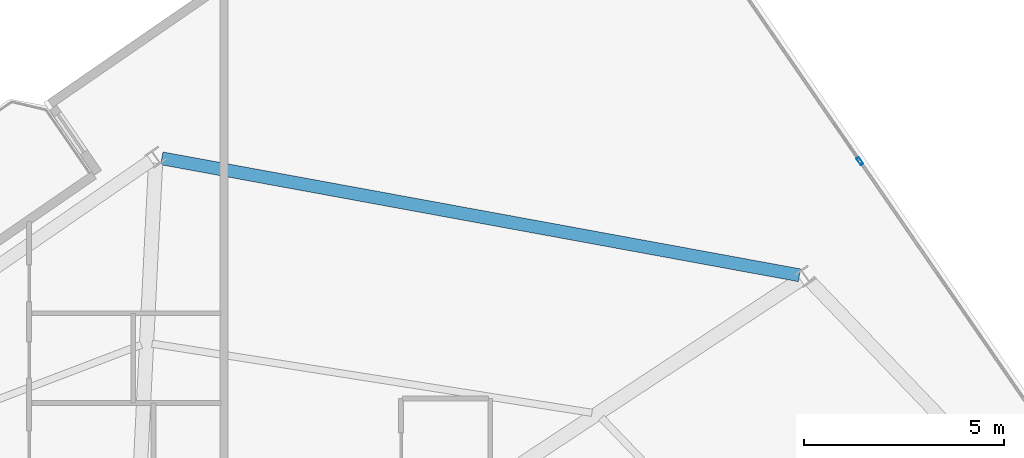
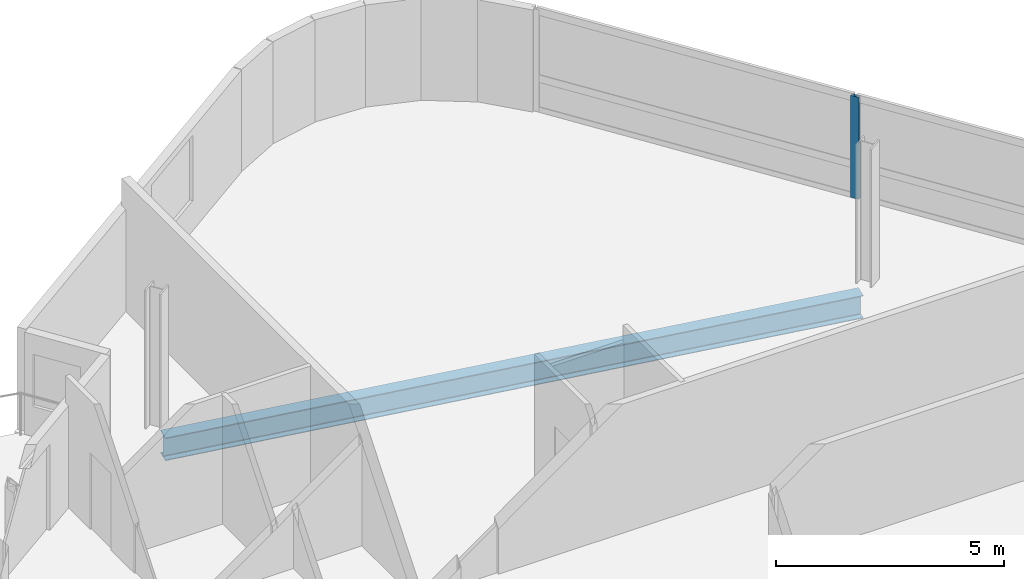
# One storey, part 10 of 23: 1 beam, 1 member, 1 element without a shape of its own.
"""IFC4 building model written with IfcOpenShell, lengths in metres."""

import ifcopenshell
import ifcopenshell.guid

model = None  # the IFC model being written
_history = None  # IfcOwnerHistory: only IFC2X3 demands one
_inside = {}  # id of a spatial element -> (the spatial element, [elements in it])
_under = {}  # id of a project, library or spatial element -> (it, [spatial elements below it])
_declared = {}  # id of a project -> (the project, [libraries it declares])
_typed = {}  # id of a type object -> (the type object, [elements of that type])
_made_of = {}  # id of a material, layer set ... -> (it, [elements and type objects made of it])


def new_model(schema):
    """Start an empty IFC model of exactly this schema.

    Asked for "IFC4X3", IfcOpenShell would pick the latest addendum, in which some entities
    have other attributes; the version numbers below select the first issue.
    IFC2X3 requires an IfcOwnerHistory on every rooted entity: one is made here for all.
    """
    global model, _history
    if schema == "IFC4X3":
        model = ifcopenshell.file(schema_version=(4, 3, 0, 0))
    else:
        model = ifcopenshell.file(schema=schema)
    _inside.clear()
    _under.clear()
    _declared.clear()
    _typed.clear()
    _made_of.clear()
    _history = None
    if model.schema == "IFC2X3":
        org = make("IfcOrganization", Name="unknown")
        user = make(
            "IfcPersonAndOrganization",
            ThePerson=make("IfcPerson", FamilyName="unknown"),
            TheOrganization=org,
        )
        app = make(
            "IfcApplication",
            ApplicationDeveloper=org,
            Version="unknown",
            ApplicationFullName="unknown",
            ApplicationIdentifier="unknown",
        )
        _history = make(
            "IfcOwnerHistory",
            OwningUser=user,
            OwningApplication=app,
            ChangeAction="ADDED",
            CreationDate=0,
        )
    return model


def make(cls, **values):
    """One entity of the class cls with the attributes given. An attribute that is None is left unset."""
    return model.create_entity(
        cls, **{name: value for name, value in values.items() if value is not None}
    )


def rooted(cls, **values):
    """An entity with a GlobalId (a new one), such as an element, a storey or a relation."""
    return make(cls, GlobalId=ifcopenshell.guid.new(), OwnerHistory=_history, **values)


def si_unit(unit_type, name, prefix=None):
    """IfcSIUnit, for example si_unit("LENGTHUNIT", "METRE", prefix="MILLI")."""
    return make("IfcSIUnit", UnitType=unit_type, Prefix=prefix, Name=name)


def assignment(units):
    """IfcUnitAssignment: the units of a project."""
    return None if units is None else make("IfcUnitAssignment", Units=units)


def point(xyz):
    """IfcCartesianPoint."""
    return None if xyz is None else make("IfcCartesianPoint", Coordinates=xyz)


def direction(xyz):
    """IfcDirection."""
    return None if xyz is None else make("IfcDirection", DirectionRatios=xyz)


def frame(location, z_axis=None, x_axis=None):
    """IfcAxis2Placement3D, a coordinate frame: its origin and axes. An axis left out is left unset."""
    return make(
        "IfcAxis2Placement3D",
        Location=point(location),
        Axis=direction(z_axis),
        RefDirection=direction(x_axis),
    )


def frame_2d(location, x_axis=None):
    """IfcAxis2Placement2D, a coordinate frame in the plane: its origin and x axis."""
    return make(
        "IfcAxis2Placement2D", Location=point(location), RefDirection=direction(x_axis)
    )


def origin():
    """The frame at (0, 0, 0) with its axes left unset."""
    return frame((0.0, 0.0, 0.0))


def origin_2d():
    """The frame at (0, 0) in the plane with its x axis left unset."""
    return frame_2d((0.0, 0.0))


def place(relative_to, where):
    """IfcLocalPlacement: puts the frame where relative to a parent placement (None: the world)."""
    return make(
        "IfcLocalPlacement", PlacementRelTo=relative_to, RelativePlacement=where
    )


def context(
    kind, dimensions, precision=None, world=None, true_north=None, identifier=None
):
    """IfcGeometricRepresentationContext, for example the 3D "Model" context."""
    return make(
        "IfcGeometricRepresentationContext",
        ContextIdentifier=identifier,
        ContextType=kind,
        CoordinateSpaceDimension=dimensions,
        Precision=precision,
        WorldCoordinateSystem=world,
        TrueNorth=true_north,
    )


def subcontext(parent, identifier, kind, view, scale=None):
    """IfcGeometricRepresentationSubContext, for example "Body" below "Model"."""
    return make(
        "IfcGeometricRepresentationSubContext",
        ContextIdentifier=identifier,
        ContextType=kind,
        ParentContext=parent,
        TargetScale=scale,
        TargetView=view,
    )


def project(units=None, contexts=None):
    """IfcProject with its units and contexts."""
    return rooted(
        "IfcProject",
        Name="project",
        RepresentationContexts=contexts,
        UnitsInContext=assignment(units),
    )


def spatial(cls, under=None, at=None, **own):
    """A site, building, storey or space (cls), placed at a placement, below another one or the project."""
    s = rooted(cls, ObjectPlacement=at, **own)
    if under is not None:
        _under.setdefault(under.id(), (under, []))[1].append(s)
    return s


def profile(cls, at=None, kind="AREA", **sizes):
    """A parametric profile (cls). Its sizes go by their IFC names, for example OverallWidth=200.0."""
    return make(cls, ProfileType=kind, Position=at, **sizes)


def hollow_rectangle(**sizes):
    """IfcRectangleHollowProfileDef."""
    return profile("IfcRectangleHollowProfileDef", **sizes)


def i_section(**sizes):
    """IfcIShapeProfileDef."""
    return profile("IfcIShapeProfileDef", **sizes)


def extrude(swept, where, along, depth):
    """IfcExtrudedAreaSolid: the profile swept, set in the frame where, extruded along a direction by depth."""
    return make(
        "IfcExtrudedAreaSolid",
        SweptArea=swept,
        Position=where,
        ExtrudedDirection=direction(along),
        Depth=depth,
    )


def shape(context_of_items, identifier, shape_type, items):
    """IfcShapeRepresentation: the items that make up one representation, for example the "Body"."""
    return make(
        "IfcShapeRepresentation",
        ContextOfItems=context_of_items,
        RepresentationIdentifier=identifier,
        RepresentationType=shape_type,
        Items=items,
    )


def material(Name=None, Category=None):
    """IfcMaterial."""
    return make("IfcMaterial", Name=Name, Category=Category)


def layer(
    of_material, thickness, ventilated=None, Name=None, Category=None, Priority=None
):
    """IfcMaterialLayer: one layer of a wall or slab, of a material (None: an air gap)."""
    return make(
        "IfcMaterialLayer",
        Material=of_material,
        LayerThickness=thickness,
        IsVentilated=ventilated,
        Name=Name,
        Category=Category,
        Priority=Priority,
    )


def layer_set(layers, Name=None):
    """IfcMaterialLayerSet."""
    return make("IfcMaterialLayerSet", MaterialLayers=layers, LayerSetName=Name)


def material_profile(
    of_material, cross_section, Name=None, Category=None, Priority=None
):
    """IfcMaterialProfile: a cross section and its material."""
    return make(
        "IfcMaterialProfile",
        Name=Name,
        Material=of_material,
        Profile=cross_section,
        Priority=Priority,
        Category=Category,
    )


def profile_set(profiles, Name=None, composite=None):
    """IfcMaterialProfileSet."""
    return make(
        "IfcMaterialProfileSet",
        Name=Name,
        MaterialProfiles=profiles,
        CompositeProfile=composite,
    )


def made_of(thing, what):
    """Note that an element or type object is made of a material, layer set ...; save() writes the relation."""
    if what is not None:
        _made_of.setdefault(what.id(), (what, []))[1].append(thing)
    return thing


def type_object(cls, material=None, **own):
    """A type object (cls), such as IfcWallType, which elements share."""
    return made_of(rooted(cls, **own), material)


def element(
    cls,
    number,
    at=None,
    inside=None,
    cuts=None,
    type_object=None,
    material=None,
    context=None,
    identifier="Body",
    shape_type=None,
    held_by="IfcProductDefinitionShape",
    body=None,
    shapes=None,
    **own,
):
    """One element of the class cls, such as IfcWall. Its Tag is "e" and its number.

    at: its placement. inside: the storey or other place that contains it. cuts: it is an
    opening in that element (IfcRelVoidsElement). A single representation is given by context,
    identifier, shape_type and body (its items); several are given by shapes. held_by: the class
    of the entity that holds the representations. save() writes the other relations.
    """
    e = rooted(cls, Tag="e%d" % number, ObjectPlacement=at, **own)
    if body is not None:
        shapes = [shape(context, identifier, shape_type, body)]
    if shapes is not None:
        e.Representation = make(held_by, Representations=shapes)
    if inside is not None:
        _inside.setdefault(inside.id(), (inside, []))[1].append(e)
    if cuts is not None:
        rooted(
            "IfcRelVoidsElement", RelatingBuildingElement=cuts, RelatedOpeningElement=e
        )
    if type_object is not None:
        _typed.setdefault(type_object.id(), (type_object, []))[1].append(e)
    return made_of(e, material)


def aggregate(whole, parts):
    """IfcRelAggregates: a whole, such as a stair, and the parts it consists of."""
    return rooted("IfcRelAggregates", RelatingObject=whole, RelatedObjects=parts)


def save(model, path):
    """Write the relations noted so far, then the file.

    IfcRelAggregates (storeys below a building ...), IfcRelContainedInSpatialStructure (elements
    in a storey), IfcRelDefinesByType, IfcRelAssociatesMaterial and IfcRelDeclares: one each for
    every whole, place, type object, material and project.
    """
    for whole, parts in _under.values():
        aggregate(whole, parts)
    for where, things in _inside.values():
        rooted(
            "IfcRelContainedInSpatialStructure",
            RelatedElements=things,
            RelatingStructure=where,
        )
    for kind, things in _typed.values():
        rooted("IfcRelDefinesByType", RelatedObjects=things, RelatingType=kind)
    for what, things in _made_of.values():
        rooted("IfcRelAssociatesMaterial", RelatedObjects=things, RelatingMaterial=what)
    for by, libraries in _declared.values():
        rooted("IfcRelDeclares", RelatingContext=by, RelatedDefinitions=libraries)
    model.write(path)


model = new_model("IFC4")

# Units and contexts
model_context = context("Model", 3, precision=1e-05, world=origin(), true_north=direction((0.0, 1.0)))
body_context = subcontext(model_context, "Body", "Model", "MODEL_VIEW")
ifc_project = project(units=[si_unit("LENGTHUNIT", "METRE"), si_unit("AREAUNIT", "SQUARE_METRE"), si_unit("VOLUMEUNIT", "CUBIC_METRE"), si_unit("PLANEANGLEUNIT", "RADIAN"), si_unit("MASSUNIT", "GRAM", prefix="KILO")], contexts=[model_context])

# Site, building, storey
site_placement = place(None, origin())
site = spatial("IfcSite", under=ifc_project, at=site_placement, CompositionType="ELEMENT")
building_placement = place(site_placement, origin())
building = spatial("IfcBuilding", under=site, at=building_placement, Name="Varnelok Gate Tower", CompositionType="ELEMENT")
storey_placement = place(building_placement, frame((0.0, 0.0, 273.0)))
storey = spatial("IfcBuildingStorey", under=building, at=storey_placement, Name="L70", CompositionType="ELEMENT", Elevation=273.0)

# Beam
ifc_material_1 = material(Name="Structural Steel ASTM A992 Grade 50", Category="steel")
ifc_material_profile_1 = material_profile(ifc_material_1, i_section(OverallWidth=0.323974609375, OverallDepth=0.611083984375, WebThickness=0.0126953125, FlangeThickness=0.01904296875, FilletRadius=0.01806640625, at=origin_2d()), Name="W24X104")
ifc_profile_set_1 = profile_set([ifc_material_profile_1], Name="Structural Steel ASTM A992 Grade 50")
beam_type = type_object("IfcBeamType", Name="BM-SPN-W24X104", PredefinedType="SPANDREL", material=ifc_profile_set_1)
beam_placement = place(storey_placement, frame((60.406005859375, 47.564453125, -0.555419921875), z_axis=(-0.98359926462, 0.180367642995, 0.0), x_axis=(-0.180367642995, -0.98359926462, 0.0)))
element("IfcBeam", 1, at=beam_placement, inside=storey, type_object=beam_type, Name="L70 Perimeter Spandrel Beam 8", PredefinedType="SPANDREL", context=body_context, shape_type="SweptSolid", body=[
    extrude(i_section(OverallWidth=0.323974609375, OverallDepth=0.611083984375, WebThickness=0.0126953125, FlangeThickness=0.01904296875, FilletRadius=0.01806640625, at=origin_2d()), origin(), (0.0, 0.0, 1.0), 16.23193359375),
])

# Curtain wall, member
ifc_material_2 = material(Name="Anodized Aluminum Alloy 6063-T6", Category="aluminium")
ifc_layer = layer(ifc_material_2, 0.179931640625)
ifc_layer_set = layer_set([ifc_layer], Name="Anodized Aluminum Alloy 6063-T6")
curtain_wall_type = type_object("IfcCurtainWallType", Name="CW4-RESIDENCE-VISION", PredefinedType="USERDEFINED", material=ifc_layer_set)
curtain_wall_placement = place(storey_placement, origin())
curtain_wall = element("IfcCurtainWall", 2, at=curtain_wall_placement, inside=storey, type_object=curtain_wall_type, Name="L70 East End Vision Curtain Wall", ObjectType="UNITISED CURTAIN WALL", PredefinedType="USERDEFINED")
ifc_material_profile_2 = material_profile(ifc_material_2, hollow_rectangle(XDim=0.074951171875, YDim=0.199951171875, WallThickness=0.00390625, at=origin_2d()), Name="ALU200X75X4")
ifc_profile_set_2 = profile_set([ifc_material_profile_2], Name="Anodized Aluminum Alloy 6063-T6")
member_type = type_object("IfcMemberType", Name="CW-MULL-200", PredefinedType="MULLION", material=ifc_profile_set_2)
member_placement = place(storey_placement, frame((61.9189453125, 50.420654296875, 0.0), z_axis=(0.0, 0.0, 1.0), x_axis=(0.823532290241, 0.567269395376, 0.0)))
member = element("IfcMember", 3, at=member_placement, type_object=member_type, Name="CW4 mullion 2", PredefinedType="MULLION", context=body_context, shape_type="SweptSolid", body=[
    extrude(hollow_rectangle(XDim=0.074951171875, YDim=0.199951171875, WallThickness=0.00390625, at=origin_2d()), origin(), (0.0, 0.0, 1.0), 2.72998046875),
])
aggregate(curtain_wall, [member])

save(model, "model.ifc")
